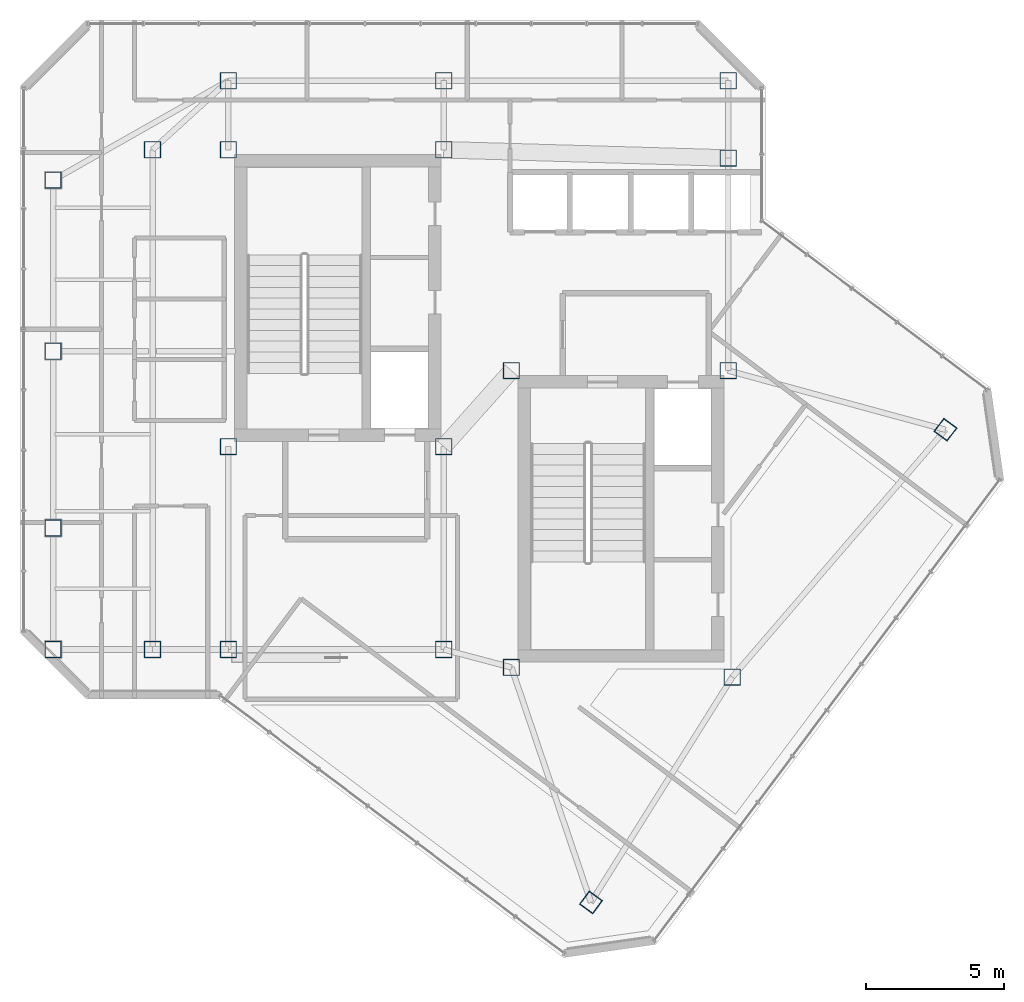
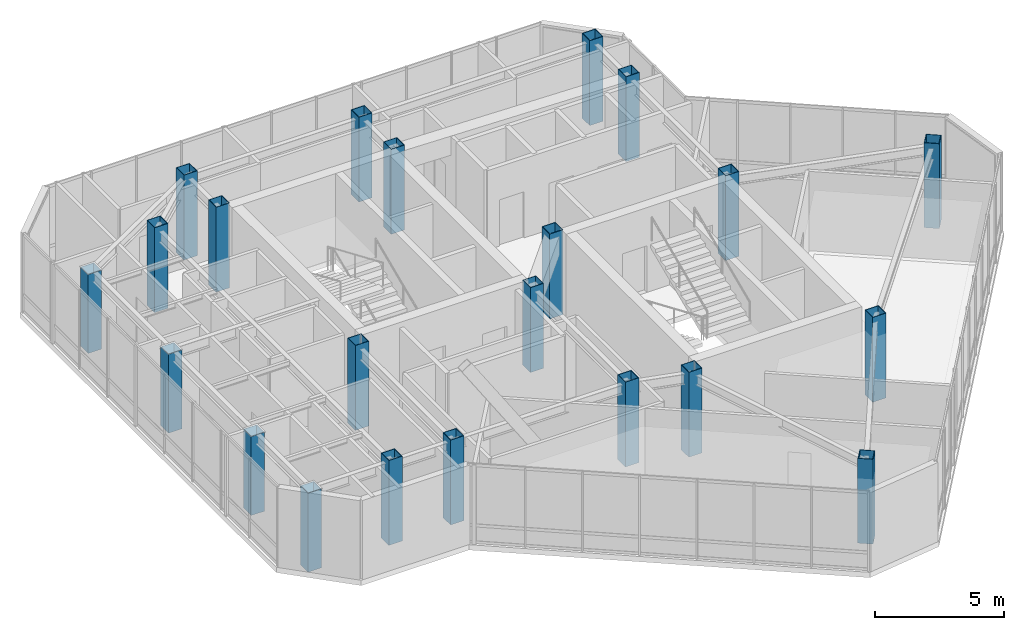
# One storey, part 1 of 31: 22 columns.
"""IFC4 building model written with IfcOpenShell, lengths in metres."""

from ifc_helpers import new_model, si_unit, direction, frame, origin, origin_2d, place, context, subcontext, project, spatial, hollow_rectangle, extrude, material, material_profile, profile_set, type_object, element, save


model = new_model("IFC4")

# Units and contexts
model_context = context("Model", 3, precision=1e-05, world=origin(), true_north=direction((0.0, 1.0)))
body_context = subcontext(model_context, "Body", "Model", "MODEL_VIEW")
ifc_project = project(units=[si_unit("LENGTHUNIT", "METRE"), si_unit("AREAUNIT", "SQUARE_METRE"), si_unit("VOLUMEUNIT", "CUBIC_METRE"), si_unit("PLANEANGLEUNIT", "RADIAN"), si_unit("MASSUNIT", "GRAM", prefix="KILO")], contexts=[model_context])

# Site, building, storey
site_placement = place(None, origin())
site = spatial("IfcSite", under=ifc_project, at=site_placement, CompositionType="ELEMENT")
building_placement = place(site_placement, origin())
building = spatial("IfcBuilding", under=site, at=building_placement, Name="Hatsunagi Terrace Concourse", CompositionType="ELEMENT")
storey_placement = place(building_placement, frame((0.0, 0.0, 269.949951171875)))
storey = spatial("IfcBuildingStorey", under=building, at=storey_placement, Name="L71", CompositionType="ELEMENT", Elevation=269.949951171875)

# Columns
ifc_material = material(Name="Steel BCP325T", Category="steel")
ifc_material_profile = material_profile(ifc_material, hollow_rectangle(XDim=0.60009765625, YDim=0.60009765625, WallThickness=0.02490234375, at=origin_2d()), Name="BCP-600x600x25")
ifc_profile_set = profile_set([ifc_material_profile], Name="Steel BCP325T")
column_type = type_object("IfcColumnType", Name="CrownBoxColumn_600x600x25", PredefinedType="COLUMN", material=ifc_profile_set)
for number, where, z_axis, x_axis, name in (
    (1, (25.550048828125, 32.550048828125, 0.0), (0.0, 0.0, 1.0), (1.0, 0.0, 0.0), "Column C-10 L71-CASW"),
    (2, (33.35009765625, 32.550048828125, 0.0), (0.0, 0.0, 1.0), (1.0, 0.0, 0.0), "Column C-10 L71-CASE"),
    (3, (25.550048828125, 43.300048828125, 0.0), (0.0, 0.0, 1.0), (1.0, 0.0, 0.0), "Column C-10 L71-CANW"),
    (4, (33.35009765625, 43.300048828125, 0.0), (0.0, 0.0, 1.0), (1.0, 0.0, 0.0), "Column C-10 L71-CANE"),
    (5, (35.800048828125, 24.550048828125, 0.0), (0.0, 0.0, 1.0), (1.0, 0.0, 0.0), "Column C-10 L71-CBSW"),
    (6, (43.800048828125, 24.199951171875, 0.0), (0.0, 0.0, 1.0), (1.0, 0.0, 0.0), "Column C-10 L71-CBSE"),
    (7, (35.800048828125, 35.300048828125, 0.0), (0.0, 0.0, 1.0), (1.0, 0.0, 0.0), "Column C-10 L71-CBNW"),
    (8, (43.64990234375, 35.300048828125, 0.0), (0.0, 0.0, 1.0), (1.0, 0.0, 0.0), "Column C-10 L71-CBNE"),
    (9, (25.550048828125, 25.199951171875, 0.0), (0.0, 0.0, 1.0), (1.0, 0.0, 0.0), "Column C-10 L71-K1"),
    (10, (33.35009765625, 25.199951171875, 0.0), (0.0, 0.0, 1.0), (1.0, 0.0, 0.0), "Column C-10 L71-K2"),
    (11, (43.64990234375, 43.0, 0.0), (0.0, 0.0, 1.0), (1.0, 0.0, 0.0), "Column C-10 L71-K3"),
    (12, (25.550048828125, 45.800048828125, 0.0), (0.0, 0.0, 1.0), (1.0, 0.0, 0.0), "Column C-10 L71-CN1"),
    (13, (33.35009765625, 45.800048828125, 0.0), (0.0, 0.0, 1.0), (1.0, 0.0, 0.0), "Column C-10 L71-CN2"),
    (14, (43.64990234375, 45.800048828125, 0.0), (0.0, 0.0, 1.0), (1.0, 0.0, 0.0), "Column C-10 L71-CN3"),
):
    element("IfcColumn", number, at=place(storey_placement, frame(where, z_axis=z_axis, x_axis=x_axis)), inside=storey, type_object=column_type, Name=name, PredefinedType="COLUMN", context=body_context, shape_type="SweptSolid", body=[
        extrude(hollow_rectangle(XDim=0.60009765625, YDim=0.60009765625, WallThickness=0.02490234375, at=origin_2d()), origin(), (0.0, 0.0, 1.0), 4.0),
    ])
for number, where, z_axis, x_axis, name in (
    (15, (19.199951171875, 25.199951171875, 0.0), (0.0, 0.0, 1.0), (1.0, 0.0, 0.0), "Column C-10 L71-WS3"),
    (16, (19.199951171875, 29.60009765625, 0.0), (0.0, 0.0, 1.0), (1.0, 0.0, 0.0), "Column C-10 L71-WR1"),
    (17, (19.199951171875, 42.199951171875, 0.0), (0.0, 0.0, 1.0), (1.0, 0.0, 0.0), "Column C-10 L71-WR2"),
):
    element("IfcColumn", number, at=place(storey_placement, frame(where, z_axis=z_axis, x_axis=x_axis)), inside=storey, type_object=column_type, Name=name, PredefinedType="COLUMN", context=body_context, shape_type="SweptSolid", body=[
        extrude(hollow_rectangle(XDim=0.60009765625, YDim=0.60009765625, WallThickness=0.02490234375, at=origin_2d()), origin(), (0.0, 0.0, 1.0), 3.718017578125),
    ])
for number, where, z_axis, x_axis, name in (
    (18, (22.800048828125, 25.199951171875, 0.0), (0.0, 0.0, 1.0), (1.0, 0.0, 0.0), "Column C-10 L71-CW1"),
    (19, (22.800048828125, 43.300048828125, 0.0), (0.0, 0.0, 1.0), (1.0, 0.0, 0.0), "Column C-10 L71-CW2"),
):
    element("IfcColumn", number, at=place(storey_placement, frame(where, z_axis=z_axis, x_axis=x_axis)), inside=storey, type_object=column_type, Name=name, PredefinedType="COLUMN", context=body_context, shape_type="SweptSolid", body=[
        extrude(hollow_rectangle(XDim=0.60009765625, YDim=0.60009765625, WallThickness=0.02490234375, at=origin_2d()), origin(), (0.0, 0.0, 1.0), 4.0),
    ])
column_placement = place(storey_placement, frame((19.199951171875, 36.0, 0.0), z_axis=(0.0, 0.0, 1.0), x_axis=(1.0, 0.0, 0.0)))
element("IfcColumn", 20, at=column_placement, inside=storey, type_object=column_type, Name="Column C-10 L71-WT2", PredefinedType="COLUMN", context=body_context, shape_type="SweptSolid", body=[
    extrude(hollow_rectangle(XDim=0.60009765625, YDim=0.60009765625, WallThickness=0.02490234375, at=origin_2d()), origin(), (0.0, 0.0, 1.0), 3.718017578125),
])
for number, where, z_axis, x_axis, name in (
    (21, (38.679931640625, 16.0400390625, 0.0), (0.0, 0.0, 1.0), (0.799999996291, -0.600000004945, 0.0), "Column C-10 L71-SES1"),
    (22, (51.52001953125, 33.159912109375, 0.0), (0.0, 0.0, 1.0), (0.799999996291, -0.600000004945, 0.0), "Column C-10 L71-SEN1"),
):
    element("IfcColumn", number, at=place(storey_placement, frame(where, z_axis=z_axis, x_axis=x_axis)), inside=storey, type_object=column_type, Name=name, PredefinedType="COLUMN", context=body_context, shape_type="SweptSolid", body=[
        extrude(hollow_rectangle(XDim=0.60009765625, YDim=0.60009765625, WallThickness=0.02490234375, at=origin_2d()), origin(), (0.0, 0.0, 1.0), 4.0),
    ])

save(model, "model.ifc")
